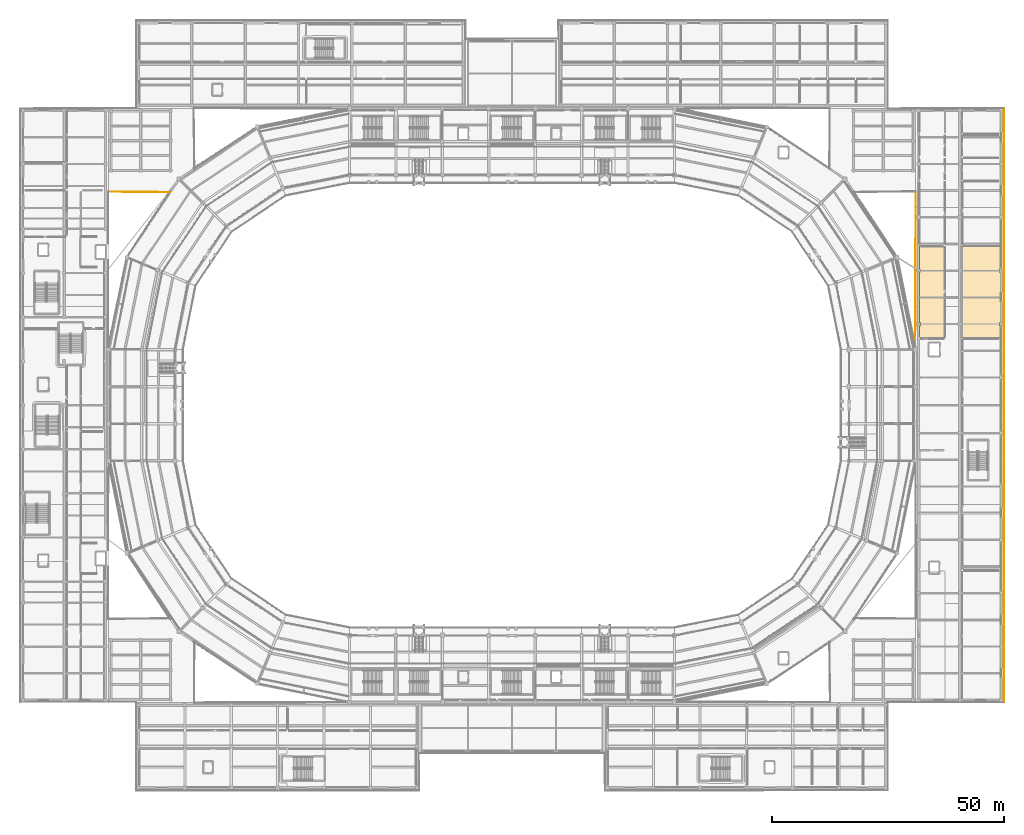
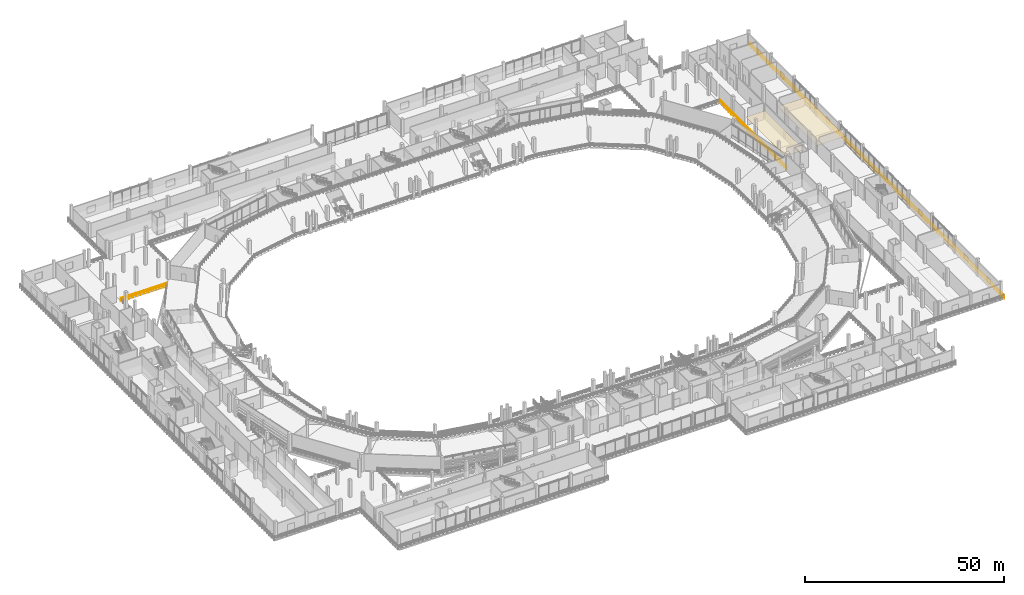
# One storey, part 118 of 127: 3 railings, 2 coverings.
"""IFC4 building model written with IfcOpenShell, lengths in metres."""

from ifc_helpers import new_model, si_unit, direction, frame, origin, origin_2d, place, context, subcontext, project, spatial, polyline, circle, outline, extrude, material, layer, layer_set, type_object, element, save


model = new_model("IFC4")

# Units and contexts
model_context = context("Model", 3, precision=1e-05, world=origin(), true_north=direction((0.0, 1.0)))
body_context = subcontext(model_context, "Body", "Model", "MODEL_VIEW")
ifc_project = project(units=[si_unit("LENGTHUNIT", "METRE"), si_unit("AREAUNIT", "SQUARE_METRE"), si_unit("VOLUMEUNIT", "CUBIC_METRE"), si_unit("PLANEANGLEUNIT", "RADIAN"), si_unit("MASSUNIT", "GRAM", prefix="KILO")], contexts=[model_context])

# Site, building, storey
site_placement = place(None, origin())
site = spatial("IfcSite", under=ifc_project, at=site_placement, CompositionType="ELEMENT")
building_placement = place(site_placement, origin())
building = spatial("IfcBuilding", under=site, at=building_placement, Name="Candeia Ridge Stadium", CompositionType="ELEMENT")
storey_placement = place(building_placement, frame((0.0, 0.0, 10.800048828125)))
storey = spatial("IfcBuildingStorey", under=building, at=storey_placement, Name="L02", CompositionType="ELEMENT", Elevation=10.800048828125)

# Coverings
ifc_material_1 = material(Name="Perforated Acoustic Gypsum", Category="gypsum")
ifc_layer_1 = layer(ifc_material_1, 0.034912109375, Name="Perforated Acoustic Gypsum", Category="gypsum")
ifc_layer_set_1 = layer_set([ifc_layer_1], Name="Perforated Acoustic Gypsum")
covering_type = type_object("IfcCoveringType", Name="Perforated Gypsum Acoustic Ceiling 35", PredefinedType="CEILING", material=ifc_layer_set_1)
covering_1_placement = place(storey_placement, frame((0.0, 0.0, 2.510009765625)))
element("IfcCovering", 1, at=covering_1_placement, inside=storey, type_object=covering_type, Name="Acoustic ceiling Broadcast Replay & VAR Operations Centre West Bay", PredefinedType="CEILING", context=body_context, shape_type="SweptSolid", body=[
    extrude(outline(polyline([(193.794189453125, 97.470703125), (193.791259765625, 97.47119140625), (193.78857421875, 97.472412109375), (193.785888671875, 97.473388671875), (193.783203125, 97.47509765625), (193.781005859375, 97.476806640625), (193.77880859375, 97.478759765625), (193.77685546875, 97.48095703125), (193.775146484375, 97.4833984375), (193.7734375, 97.48583984375), (193.772216796875, 97.488525390625), (193.771240234375, 97.4912109375), (193.7705078125, 97.494140625), (193.77001953125, 97.4970703125), (193.77001953125, 97.5), (193.77001953125, 100.110107421875), (193.989990234375, 100.110107421875), (193.989990234375, 100.889892578125), (193.77001953125, 100.889892578125), (193.77001953125, 111.635009765625), (193.965087890625, 111.635009765625), (193.965087890625, 112.364990234375), (193.77001953125, 112.364990234375), (193.77001953125, 117.300048828125), (193.77001953125, 117.302978515625), (193.7705078125, 117.305908203125), (193.771240234375, 117.30859375), (193.772216796875, 117.3115234375), (193.7734375, 117.314208984375), (193.775146484375, 117.316650390625), (193.77685546875, 117.319091796875), (193.77880859375, 117.3212890625), (193.781005859375, 117.3232421875), (193.783203125, 117.324951171875), (193.785888671875, 117.326416015625), (193.78857421875, 117.32763671875), (193.791259765625, 117.32861328125), (193.794189453125, 117.329345703125), (193.797119140625, 117.329833984375), (193.800048828125, 117.330078125), (199.300048828125, 117.330078125), (199.302978515625, 117.329833984375), (199.305908203125, 117.329345703125), (199.30859375, 117.32861328125), (199.3115234375, 117.32763671875), (199.314208984375, 117.326416015625), (199.316650390625, 117.324951171875), (199.319091796875, 117.3232421875), (199.3212890625, 117.3212890625), (199.3232421875, 117.319091796875), (199.324951171875, 117.316650390625), (199.326416015625, 117.314208984375), (199.32763671875, 117.3115234375), (199.32861328125, 117.30859375), (199.329345703125, 117.305908203125), (199.329833984375, 117.302978515625), (199.330078125, 117.300048828125), (199.330078125, 97.5), (199.329833984375, 97.4970703125), (199.329345703125, 97.494140625), (199.32861328125, 97.4912109375), (199.32763671875, 97.488525390625), (199.326416015625, 97.48583984375), (199.324951171875, 97.4833984375), (199.3232421875, 97.48095703125), (199.3212890625, 97.478759765625), (199.319091796875, 97.476806640625), (199.316650390625, 97.47509765625), (199.314208984375, 97.473388671875), (199.3115234375, 97.472412109375), (199.30859375, 97.47119140625), (199.305908203125, 97.470703125), (199.302978515625, 97.47021484375), (199.300048828125, 97.469970703125), (193.800048828125, 97.469970703125), (193.797119140625, 97.47021484375), (193.794189453125, 97.470703125)])), origin(), (0.0, 0.0, 1.0), 0.0400390625),
])
covering_2_placement = place(storey_placement, frame((0.0, 0.0, 2.510009765625)))
element("IfcCovering", 2, at=covering_2_placement, inside=storey, type_object=covering_type, Name="Acoustic ceiling Broadcast Replay & VAR Operations Centre", PredefinedType="CEILING", context=body_context, shape_type="SweptSolid", body=[
    extrude(outline(polyline([(202.994140625, 97.470703125), (202.9912109375, 97.47119140625), (202.988525390625, 97.472412109375), (202.98583984375, 97.473388671875), (202.9833984375, 97.47509765625), (202.98095703125, 97.476806640625), (202.978759765625, 97.478759765625), (202.976806640625, 97.48095703125), (202.97509765625, 97.4833984375), (202.973388671875, 97.48583984375), (202.972412109375, 97.488525390625), (202.97119140625, 97.4912109375), (202.970703125, 97.494140625), (202.97021484375, 97.4970703125), (202.969970703125, 97.5), (202.969970703125, 117.300048828125), (202.97021484375, 117.302978515625), (202.970703125, 117.305908203125), (202.97119140625, 117.30859375), (202.972412109375, 117.3115234375), (202.973388671875, 117.314208984375), (202.97509765625, 117.316650390625), (202.976806640625, 117.319091796875), (202.978759765625, 117.3212890625), (202.98095703125, 117.3232421875), (202.9833984375, 117.324951171875), (202.98583984375, 117.326416015625), (202.988525390625, 117.32763671875), (202.9912109375, 117.32861328125), (202.994140625, 117.329345703125), (202.9970703125, 117.329833984375), (203.0, 117.330078125), (211.199951171875, 117.330078125), (211.202880859375, 117.329833984375), (211.205810546875, 117.329345703125), (211.208740234375, 117.32861328125), (211.21142578125, 117.32763671875), (211.214111328125, 117.326416015625), (211.216796875, 117.324951171875), (211.218994140625, 117.3232421875), (211.22119140625, 117.3212890625), (211.22314453125, 117.319091796875), (211.224853515625, 117.316650390625), (211.2265625, 117.314208984375), (211.227783203125, 117.3115234375), (211.228759765625, 117.30859375), (211.2294921875, 117.305908203125), (211.22998046875, 117.302978515625), (211.22998046875, 117.300048828125), (211.22998046875, 112.364990234375), (211.034912109375, 112.364990234375), (211.034912109375, 111.635009765625), (211.22998046875, 111.635009765625), (211.22998046875, 100.889892578125), (211.010009765625, 100.889892578125), (211.010009765625, 100.110107421875), (211.22998046875, 100.110107421875), (211.22998046875, 97.5), (211.22998046875, 97.4970703125), (211.2294921875, 97.494140625), (211.228759765625, 97.4912109375), (211.227783203125, 97.488525390625), (211.2265625, 97.48583984375), (211.224853515625, 97.4833984375), (211.22314453125, 97.48095703125), (211.22119140625, 97.478759765625), (211.218994140625, 97.476806640625), (211.216796875, 97.47509765625), (211.214111328125, 97.473388671875), (211.21142578125, 97.472412109375), (211.208740234375, 97.47119140625), (211.205810546875, 97.470703125), (211.202880859375, 97.47021484375), (211.199951171875, 97.469970703125), (203.0, 97.469970703125), (202.9970703125, 97.47021484375), (202.994140625, 97.470703125)])), origin(), (0.0, 0.0, 1.0), 0.0400390625),
])

# Railings
ifc_material_2 = material(Name="Galvanized Powder-Coated Steel", Category="steel")
ifc_layer_2 = layer(ifc_material_2, 0.074951171875, Name="Galvanized Powder-Coated Steel", Category="steel")
ifc_layer_set_2 = layer_set([ifc_layer_2], Name="Galvanized Powder-Coated Steel")
railing_type = type_object("IfcRailingType", Name="Spectator Bowl Front Guardrail 1120", PredefinedType="GUARDRAIL", material=ifc_layer_set_2)
railing_1_placement = place(storey_placement, frame((212.0, 147.0, 0.0)))
element("IfcRailing", 3, at=railing_1_placement, inside=storey, type_object=railing_type, Name="Deck edge safety guardrail GR-DE-L02-0063", PredefinedType="GUARDRAIL", context=body_context, shape_type="SweptSolid", body=[
    extrude(circle(Radius=0.02392578125, at=origin_2d()), frame((0.0, 0.0, 1.09619140625), z_axis=(0.0, -1.0, 0.0), x_axis=(1.0, 0.0, 0.0)), (0.0, 0.0, 1.0), 128.0),
    extrude(circle(Radius=0.02392578125, at=origin_2d()), frame((0.0, 0.0, 0.56005859375), z_axis=(0.0, -1.0, 0.0), x_axis=(1.0, 0.0, 0.0)), (0.0, 0.0, 1.0), 128.0),
    extrude(circle(Radius=0.02099609375, at=origin_2d()), origin(), (0.0, 0.0, 1.0), 1.072021484375),
    extrude(circle(Radius=0.02099609375, at=origin_2d()), frame((0.0, -1.1962890625, 0.0)), (0.0, 0.0, 1.0), 1.072021484375),
    extrude(circle(Radius=0.02099609375, at=origin_2d()), frame((0.0, -2.392578125, 0.0)), (0.0, 0.0, 1.0), 1.072021484375),
    extrude(circle(Radius=0.02099609375, at=origin_2d()), frame((0.0, -3.5888671875, 0.0)), (0.0, 0.0, 1.0), 1.072021484375),
    extrude(circle(Radius=0.02099609375, at=origin_2d()), frame((0.0, -4.78515625, 0.0)), (0.0, 0.0, 1.0), 1.072021484375),
    extrude(circle(Radius=0.02099609375, at=origin_2d()), frame((0.0, -5.981201171875, 0.0)), (0.0, 0.0, 1.0), 1.072021484375),
    extrude(circle(Radius=0.02099609375, at=origin_2d()), frame((0.0, -7.177490234375, 0.0)), (0.0, 0.0, 1.0), 1.072021484375),
    extrude(circle(Radius=0.02099609375, at=origin_2d()), frame((0.0, -8.373779296875, 0.0)), (0.0, 0.0, 1.0), 1.072021484375),
    extrude(circle(Radius=0.02099609375, at=origin_2d()), frame((0.0, -9.570068359375, 0.0)), (0.0, 0.0, 1.0), 1.072021484375),
    extrude(circle(Radius=0.02099609375, at=origin_2d()), frame((0.0, -10.766357421875, 0.0)), (0.0, 0.0, 1.0), 1.072021484375),
    extrude(circle(Radius=0.02099609375, at=origin_2d()), frame((0.0, -11.962646484375, 0.0)), (0.0, 0.0, 1.0), 1.072021484375),
    extrude(circle(Radius=0.02099609375, at=origin_2d()), frame((0.0, -13.158935546875, 0.0)), (0.0, 0.0, 1.0), 1.072021484375),
    extrude(circle(Radius=0.02099609375, at=origin_2d()), frame((0.0, -14.355224609375, 0.0)), (0.0, 0.0, 1.0), 1.072021484375),
    extrude(circle(Radius=0.02099609375, at=origin_2d()), frame((0.0, -15.551513671875, 0.0)), (0.0, 0.0, 1.0), 1.072021484375),
    extrude(circle(Radius=0.02099609375, at=origin_2d()), frame((0.0, -16.74755859375, 0.0)), (0.0, 0.0, 1.0), 1.072021484375),
    extrude(circle(Radius=0.02099609375, at=origin_2d()), frame((0.0, -17.94384765625, 0.0)), (0.0, 0.0, 1.0), 1.072021484375),
    extrude(circle(Radius=0.02099609375, at=origin_2d()), frame((0.0, -19.14013671875, 0.0)), (0.0, 0.0, 1.0), 1.072021484375),
    extrude(circle(Radius=0.02099609375, at=origin_2d()), frame((0.0, -20.33642578125, 0.0)), (0.0, 0.0, 1.0), 1.072021484375),
    extrude(circle(Radius=0.02099609375, at=origin_2d()), frame((0.0, -21.53271484375, 0.0)), (0.0, 0.0, 1.0), 1.072021484375),
    extrude(circle(Radius=0.02099609375, at=origin_2d()), frame((0.0, -22.72900390625, 0.0)), (0.0, 0.0, 1.0), 1.072021484375),
    extrude(circle(Radius=0.02099609375, at=origin_2d()), frame((0.0, -23.92529296875, 0.0)), (0.0, 0.0, 1.0), 1.072021484375),
    extrude(circle(Radius=0.02099609375, at=origin_2d()), frame((0.0, -25.12158203125, 0.0)), (0.0, 0.0, 1.0), 1.072021484375),
    extrude(circle(Radius=0.02099609375, at=origin_2d()), frame((0.0, -26.31787109375, 0.0)), (0.0, 0.0, 1.0), 1.072021484375),
    extrude(circle(Radius=0.02099609375, at=origin_2d()), frame((0.0, -27.513916015625, 0.0)), (0.0, 0.0, 1.0), 1.072021484375),
    extrude(circle(Radius=0.02099609375, at=origin_2d()), frame((0.0, -28.710205078125, 0.0)), (0.0, 0.0, 1.0), 1.072021484375),
    extrude(circle(Radius=0.02099609375, at=origin_2d()), frame((0.0, -29.906494140625, 0.0)), (0.0, 0.0, 1.0), 1.072021484375),
    extrude(circle(Radius=0.02099609375, at=origin_2d()), frame((0.0, -31.102783203125, 0.0)), (0.0, 0.0, 1.0), 1.072021484375),
    extrude(circle(Radius=0.02099609375, at=origin_2d()), frame((0.0, -32.299072265625, 0.0)), (0.0, 0.0, 1.0), 1.072021484375),
    extrude(circle(Radius=0.02099609375, at=origin_2d()), frame((0.0, -33.495361328125, 0.0)), (0.0, 0.0, 1.0), 1.072021484375),
    extrude(circle(Radius=0.02099609375, at=origin_2d()), frame((0.0, -34.691650390625, 0.0)), (0.0, 0.0, 1.0), 1.072021484375),
    extrude(circle(Radius=0.02099609375, at=origin_2d()), frame((0.0, -35.887939453125, 0.0)), (0.0, 0.0, 1.0), 1.072021484375),
    extrude(circle(Radius=0.02099609375, at=origin_2d()), frame((0.0, -37.084228515625, 0.0)), (0.0, 0.0, 1.0), 1.072021484375),
    extrude(circle(Radius=0.02099609375, at=origin_2d()), frame((0.0, -38.2802734375, 0.0)), (0.0, 0.0, 1.0), 1.072021484375),
    extrude(circle(Radius=0.02099609375, at=origin_2d()), frame((0.0, -39.4765625, 0.0)), (0.0, 0.0, 1.0), 1.072021484375),
    extrude(circle(Radius=0.02099609375, at=origin_2d()), frame((0.0, -40.6728515625, 0.0)), (0.0, 0.0, 1.0), 1.072021484375),
    extrude(circle(Radius=0.02099609375, at=origin_2d()), frame((0.0, -41.869140625, 0.0)), (0.0, 0.0, 1.0), 1.072021484375),
    extrude(circle(Radius=0.02099609375, at=origin_2d()), frame((0.0, -43.0654296875, 0.0)), (0.0, 0.0, 1.0), 1.072021484375),
    extrude(circle(Radius=0.02099609375, at=origin_2d()), frame((0.0, -44.26171875, 0.0)), (0.0, 0.0, 1.0), 1.072021484375),
    extrude(circle(Radius=0.02099609375, at=origin_2d()), frame((0.0, -45.4580078125, 0.0)), (0.0, 0.0, 1.0), 1.072021484375),
    extrude(circle(Radius=0.02099609375, at=origin_2d()), frame((0.0, -46.654296875, 0.0)), (0.0, 0.0, 1.0), 1.072021484375),
    extrude(circle(Radius=0.02099609375, at=origin_2d()), frame((0.0, -47.8505859375, 0.0)), (0.0, 0.0, 1.0), 1.072021484375),
    extrude(circle(Radius=0.02099609375, at=origin_2d()), frame((0.0, -49.046630859375, 0.0)), (0.0, 0.0, 1.0), 1.072021484375),
    extrude(circle(Radius=0.02099609375, at=origin_2d()), frame((0.0, -50.242919921875, 0.0)), (0.0, 0.0, 1.0), 1.072021484375),
    extrude(circle(Radius=0.02099609375, at=origin_2d()), frame((0.0, -51.439208984375, 0.0)), (0.0, 0.0, 1.0), 1.072021484375),
    extrude(circle(Radius=0.02099609375, at=origin_2d()), frame((0.0, -52.635498046875, 0.0)), (0.0, 0.0, 1.0), 1.072021484375),
    extrude(circle(Radius=0.02099609375, at=origin_2d()), frame((0.0, -53.831787109375, 0.0)), (0.0, 0.0, 1.0), 1.072021484375),
    extrude(circle(Radius=0.02099609375, at=origin_2d()), frame((0.0, -55.028076171875, 0.0)), (0.0, 0.0, 1.0), 1.072021484375),
    extrude(circle(Radius=0.02099609375, at=origin_2d()), frame((0.0, -56.224365234375, 0.0)), (0.0, 0.0, 1.0), 1.072021484375),
    extrude(circle(Radius=0.02099609375, at=origin_2d()), frame((0.0, -57.420654296875, 0.0)), (0.0, 0.0, 1.0), 1.072021484375),
    extrude(circle(Radius=0.02099609375, at=origin_2d()), frame((0.0, -58.616943359375, 0.0)), (0.0, 0.0, 1.0), 1.072021484375),
    extrude(circle(Radius=0.02099609375, at=origin_2d()), frame((0.0, -59.81298828125, 0.0)), (0.0, 0.0, 1.0), 1.072021484375),
    extrude(circle(Radius=0.02099609375, at=origin_2d()), frame((0.0, -61.00927734375, 0.0)), (0.0, 0.0, 1.0), 1.072021484375),
    extrude(circle(Radius=0.02099609375, at=origin_2d()), frame((0.0, -62.20556640625, 0.0)), (0.0, 0.0, 1.0), 1.072021484375),
    extrude(circle(Radius=0.02099609375, at=origin_2d()), frame((0.0, -63.40185546875, 0.0)), (0.0, 0.0, 1.0), 1.072021484375),
    extrude(circle(Radius=0.02099609375, at=origin_2d()), frame((0.0, -64.59814453125, 0.0)), (0.0, 0.0, 1.0), 1.072021484375),
    extrude(circle(Radius=0.02099609375, at=origin_2d()), frame((0.0, -65.79443359375, 0.0)), (0.0, 0.0, 1.0), 1.072021484375),
    extrude(circle(Radius=0.02099609375, at=origin_2d()), frame((0.0, -66.99072265625, 0.0)), (0.0, 0.0, 1.0), 1.072021484375),
    extrude(circle(Radius=0.02099609375, at=origin_2d()), frame((0.0, -68.18701171875, 0.0)), (0.0, 0.0, 1.0), 1.072021484375),
    extrude(circle(Radius=0.02099609375, at=origin_2d()), frame((0.0, -69.383056640625, 0.0)), (0.0, 0.0, 1.0), 1.072021484375),
    extrude(circle(Radius=0.02099609375, at=origin_2d()), frame((0.0, -70.579345703125, 0.0)), (0.0, 0.0, 1.0), 1.072021484375),
    extrude(circle(Radius=0.02099609375, at=origin_2d()), frame((0.0, -71.775634765625, 0.0)), (0.0, 0.0, 1.0), 1.072021484375),
    extrude(circle(Radius=0.02099609375, at=origin_2d()), frame((0.0, -72.971923828125, 0.0)), (0.0, 0.0, 1.0), 1.072021484375),
    extrude(circle(Radius=0.02099609375, at=origin_2d()), frame((0.0, -74.168212890625, 0.0)), (0.0, 0.0, 1.0), 1.072021484375),
    extrude(circle(Radius=0.02099609375, at=origin_2d()), frame((0.0, -75.364501953125, 0.0)), (0.0, 0.0, 1.0), 1.072021484375),
    extrude(circle(Radius=0.02099609375, at=origin_2d()), frame((0.0, -76.560791015625, 0.0)), (0.0, 0.0, 1.0), 1.072021484375),
    extrude(circle(Radius=0.02099609375, at=origin_2d()), frame((0.0, -77.757080078125, 0.0)), (0.0, 0.0, 1.0), 1.072021484375),
    extrude(circle(Radius=0.02099609375, at=origin_2d()), frame((0.0, -78.953369140625, 0.0)), (0.0, 0.0, 1.0), 1.072021484375),
    extrude(circle(Radius=0.02099609375, at=origin_2d()), frame((0.0, -80.1494140625, 0.0)), (0.0, 0.0, 1.0), 1.072021484375),
    extrude(circle(Radius=0.02099609375, at=origin_2d()), frame((0.0, -81.345703125, 0.0)), (0.0, 0.0, 1.0), 1.072021484375),
    extrude(circle(Radius=0.02099609375, at=origin_2d()), frame((0.0, -82.5419921875, 0.0)), (0.0, 0.0, 1.0), 1.072021484375),
    extrude(circle(Radius=0.02099609375, at=origin_2d()), frame((0.0, -83.73828125, 0.0)), (0.0, 0.0, 1.0), 1.072021484375),
    extrude(circle(Radius=0.02099609375, at=origin_2d()), frame((0.0, -84.9345703125, 0.0)), (0.0, 0.0, 1.0), 1.072021484375),
    extrude(circle(Radius=0.02099609375, at=origin_2d()), frame((0.0, -86.130859375, 0.0)), (0.0, 0.0, 1.0), 1.072021484375),
    extrude(circle(Radius=0.02099609375, at=origin_2d()), frame((0.0, -87.3271484375, 0.0)), (0.0, 0.0, 1.0), 1.072021484375),
    extrude(circle(Radius=0.02099609375, at=origin_2d()), frame((0.0, -88.5234375, 0.0)), (0.0, 0.0, 1.0), 1.072021484375),
    extrude(circle(Radius=0.02099609375, at=origin_2d()), frame((0.0, -89.7197265625, 0.0)), (0.0, 0.0, 1.0), 1.072021484375),
    extrude(circle(Radius=0.02099609375, at=origin_2d()), frame((0.0, -90.915771484375, 0.0)), (0.0, 0.0, 1.0), 1.072021484375),
    extrude(circle(Radius=0.02099609375, at=origin_2d()), frame((0.0, -92.112060546875, 0.0)), (0.0, 0.0, 1.0), 1.072021484375),
    extrude(circle(Radius=0.02099609375, at=origin_2d()), frame((0.0, -93.308349609375, 0.0)), (0.0, 0.0, 1.0), 1.072021484375),
    extrude(circle(Radius=0.02099609375, at=origin_2d()), frame((0.0, -94.504638671875, 0.0)), (0.0, 0.0, 1.0), 1.072021484375),
    extrude(circle(Radius=0.02099609375, at=origin_2d()), frame((0.0, -95.700927734375, 0.0)), (0.0, 0.0, 1.0), 1.072021484375),
    extrude(circle(Radius=0.02099609375, at=origin_2d()), frame((0.0, -96.897216796875, 0.0)), (0.0, 0.0, 1.0), 1.072021484375),
    extrude(circle(Radius=0.02099609375, at=origin_2d()), frame((0.0, -98.093505859375, 0.0)), (0.0, 0.0, 1.0), 1.072021484375),
    extrude(circle(Radius=0.02099609375, at=origin_2d()), frame((0.0, -99.289794921875, 0.0)), (0.0, 0.0, 1.0), 1.072021484375),
    extrude(circle(Radius=0.02099609375, at=origin_2d()), frame((0.0, -100.486083984375, 0.0)), (0.0, 0.0, 1.0), 1.072021484375),
    extrude(circle(Radius=0.02099609375, at=origin_2d()), frame((0.0, -101.68212890625, 0.0)), (0.0, 0.0, 1.0), 1.072021484375),
    extrude(circle(Radius=0.02099609375, at=origin_2d()), frame((0.0, -102.87841796875, 0.0)), (0.0, 0.0, 1.0), 1.072021484375),
    extrude(circle(Radius=0.02099609375, at=origin_2d()), frame((0.0, -104.07470703125, 0.0)), (0.0, 0.0, 1.0), 1.072021484375),
    extrude(circle(Radius=0.02099609375, at=origin_2d()), frame((0.0, -105.27099609375, 0.0)), (0.0, 0.0, 1.0), 1.072021484375),
    extrude(circle(Radius=0.02099609375, at=origin_2d()), frame((0.0, -106.46728515625, 0.0)), (0.0, 0.0, 1.0), 1.072021484375),
    extrude(circle(Radius=0.02099609375, at=origin_2d()), frame((0.0, -107.66357421875, 0.0)), (0.0, 0.0, 1.0), 1.072021484375),
    extrude(circle(Radius=0.02099609375, at=origin_2d()), frame((0.0, -108.85986328125, 0.0)), (0.0, 0.0, 1.0), 1.072021484375),
    extrude(circle(Radius=0.02099609375, at=origin_2d()), frame((0.0, -110.05615234375, 0.0)), (0.0, 0.0, 1.0), 1.072021484375),
    extrude(circle(Radius=0.02099609375, at=origin_2d()), frame((0.0, -111.25244140625, 0.0)), (0.0, 0.0, 1.0), 1.072021484375),
    extrude(circle(Radius=0.02099609375, at=origin_2d()), frame((0.0, -112.448486328125, 0.0)), (0.0, 0.0, 1.0), 1.072021484375),
    extrude(circle(Radius=0.02099609375, at=origin_2d()), frame((0.0, -113.644775390625, 0.0)), (0.0, 0.0, 1.0), 1.072021484375),
    extrude(circle(Radius=0.02099609375, at=origin_2d()), frame((0.0, -114.841064453125, 0.0)), (0.0, 0.0, 1.0), 1.072021484375),
    extrude(circle(Radius=0.02099609375, at=origin_2d()), frame((0.0, -116.037353515625, 0.0)), (0.0, 0.0, 1.0), 1.072021484375),
    extrude(circle(Radius=0.02099609375, at=origin_2d()), frame((0.0, -117.233642578125, 0.0)), (0.0, 0.0, 1.0), 1.072021484375),
    extrude(circle(Radius=0.02099609375, at=origin_2d()), frame((0.0, -118.429931640625, 0.0)), (0.0, 0.0, 1.0), 1.072021484375),
    extrude(circle(Radius=0.02099609375, at=origin_2d()), frame((0.0, -119.626220703125, 0.0)), (0.0, 0.0, 1.0), 1.072021484375),
    extrude(circle(Radius=0.02099609375, at=origin_2d()), frame((0.0, -120.822509765625, 0.0)), (0.0, 0.0, 1.0), 1.072021484375),
    extrude(circle(Radius=0.02099609375, at=origin_2d()), frame((0.0, -122.018798828125, 0.0)), (0.0, 0.0, 1.0), 1.072021484375),
    extrude(circle(Radius=0.02099609375, at=origin_2d()), frame((0.0, -123.21484375, 0.0)), (0.0, 0.0, 1.0), 1.072021484375),
    extrude(circle(Radius=0.02099609375, at=origin_2d()), frame((0.0, -124.4111328125, 0.0)), (0.0, 0.0, 1.0), 1.072021484375),
    extrude(circle(Radius=0.02099609375, at=origin_2d()), frame((0.0, -125.607421875, 0.0)), (0.0, 0.0, 1.0), 1.072021484375),
    extrude(circle(Radius=0.02099609375, at=origin_2d()), frame((0.0, -126.8037109375, 0.0)), (0.0, 0.0, 1.0), 1.072021484375),
    extrude(circle(Radius=0.02099609375, at=origin_2d()), frame((0.0, -128.0, 0.0)), (0.0, 0.0, 1.0), 1.072021484375),
])
railing_2_placement = place(storey_placement, frame((192.919921875, 95.313720703125, 0.0)))
element("IfcRailing", 4, at=railing_2_placement, inside=storey, type_object=railing_type, Name="Deck edge safety guardrail GR-DE-L02-0075", PredefinedType="GUARDRAIL", context=body_context, shape_type="SweptSolid", body=[
    extrude(circle(Radius=0.02392578125, at=origin_2d()), frame((0.0, 0.0, 1.09619140625), z_axis=(0.002371529117, 0.999997187921, 0.0), x_axis=(-0.999997187921, 0.002371529117, 0.0)), (0.0, 0.0, 1.0), 33.766357421875),
    extrude(circle(Radius=0.02392578125, at=origin_2d()), frame((0.0, 0.0, 0.56005859375), z_axis=(0.002371529117, 0.999997187921, 0.0), x_axis=(-0.999997187921, 0.002371529117, 0.0)), (0.0, 0.0, 1.0), 33.766357421875),
    extrude(circle(Radius=0.02099609375, at=origin_2d()), origin(), (0.0, 0.0, 1.0), 1.072021484375),
    extrude(circle(Radius=0.02099609375, at=origin_2d()), frame((0.002685546875, 1.164306640625, 0.0)), (0.0, 0.0, 1.0), 1.072021484375),
    extrude(circle(Radius=0.02099609375, at=origin_2d()), frame((0.005615234375, 2.32861328125, 0.0)), (0.0, 0.0, 1.0), 1.072021484375),
    extrude(circle(Radius=0.02099609375, at=origin_2d()), frame((0.00830078125, 3.4931640625, 0.0)), (0.0, 0.0, 1.0), 1.072021484375),
    extrude(circle(Radius=0.02099609375, at=origin_2d()), frame((0.010986328125, 4.657470703125, 0.0)), (0.0, 0.0, 1.0), 1.072021484375),
    extrude(circle(Radius=0.02099609375, at=origin_2d()), frame((0.013916015625, 5.82177734375, 0.0)), (0.0, 0.0, 1.0), 1.072021484375),
    extrude(circle(Radius=0.02099609375, at=origin_2d()), frame((0.0166015625, 6.986083984375, 0.0)), (0.0, 0.0, 1.0), 1.072021484375),
    extrude(circle(Radius=0.02099609375, at=origin_2d()), frame((0.019287109375, 8.150390625, 0.0)), (0.0, 0.0, 1.0), 1.072021484375),
    extrude(circle(Radius=0.02099609375, at=origin_2d()), frame((0.02197265625, 9.31494140625, 0.0)), (0.0, 0.0, 1.0), 1.072021484375),
    extrude(circle(Radius=0.02099609375, at=origin_2d()), frame((0.02490234375, 10.479248046875, 0.0)), (0.0, 0.0, 1.0), 1.072021484375),
    extrude(circle(Radius=0.02099609375, at=origin_2d()), frame((0.027587890625, 11.6435546875, 0.0)), (0.0, 0.0, 1.0), 1.072021484375),
    extrude(circle(Radius=0.02099609375, at=origin_2d()), frame((0.0302734375, 12.807861328125, 0.0)), (0.0, 0.0, 1.0), 1.072021484375),
    extrude(circle(Radius=0.02099609375, at=origin_2d()), frame((0.033203125, 13.97216796875, 0.0)), (0.0, 0.0, 1.0), 1.072021484375),
    extrude(circle(Radius=0.02099609375, at=origin_2d()), frame((0.035888671875, 15.13671875, 0.0)), (0.0, 0.0, 1.0), 1.072021484375),
    extrude(circle(Radius=0.02099609375, at=origin_2d()), frame((0.03857421875, 16.301025390625, 0.0)), (0.0, 0.0, 1.0), 1.072021484375),
    extrude(circle(Radius=0.02099609375, at=origin_2d()), frame((0.04150390625, 17.46533203125, 0.0)), (0.0, 0.0, 1.0), 1.072021484375),
    extrude(circle(Radius=0.02099609375, at=origin_2d()), frame((0.044189453125, 18.629638671875, 0.0)), (0.0, 0.0, 1.0), 1.072021484375),
    extrude(circle(Radius=0.02099609375, at=origin_2d()), frame((0.046875, 19.794189453125, 0.0)), (0.0, 0.0, 1.0), 1.072021484375),
    extrude(circle(Radius=0.02099609375, at=origin_2d()), frame((0.0498046875, 20.95849609375, 0.0)), (0.0, 0.0, 1.0), 1.072021484375),
    extrude(circle(Radius=0.02099609375, at=origin_2d()), frame((0.052490234375, 22.122802734375, 0.0)), (0.0, 0.0, 1.0), 1.072021484375),
    extrude(circle(Radius=0.02099609375, at=origin_2d()), frame((0.05517578125, 23.287109375, 0.0)), (0.0, 0.0, 1.0), 1.072021484375),
    extrude(circle(Radius=0.02099609375, at=origin_2d()), frame((0.05810546875, 24.451416015625, 0.0)), (0.0, 0.0, 1.0), 1.072021484375),
    extrude(circle(Radius=0.02099609375, at=origin_2d()), frame((0.060791015625, 25.615966796875, 0.0)), (0.0, 0.0, 1.0), 1.072021484375),
    extrude(circle(Radius=0.02099609375, at=origin_2d()), frame((0.0634765625, 26.7802734375, 0.0)), (0.0, 0.0, 1.0), 1.072021484375),
    extrude(circle(Radius=0.02099609375, at=origin_2d()), frame((0.066162109375, 27.944580078125, 0.0)), (0.0, 0.0, 1.0), 1.072021484375),
    extrude(circle(Radius=0.02099609375, at=origin_2d()), frame((0.069091796875, 29.10888671875, 0.0)), (0.0, 0.0, 1.0), 1.072021484375),
    extrude(circle(Radius=0.02099609375, at=origin_2d()), frame((0.07177734375, 30.273193359375, 0.0)), (0.0, 0.0, 1.0), 1.072021484375),
    extrude(circle(Radius=0.02099609375, at=origin_2d()), frame((0.074462890625, 31.437744140625, 0.0)), (0.0, 0.0, 1.0), 1.072021484375),
    extrude(circle(Radius=0.02099609375, at=origin_2d()), frame((0.077392578125, 32.60205078125, 0.0)), (0.0, 0.0, 1.0), 1.072021484375),
    extrude(circle(Radius=0.02099609375, at=origin_2d()), frame((0.080078125, 33.766357421875, 0.0)), (0.0, 0.0, 1.0), 1.072021484375),
])
railing_3_placement = place(storey_placement, frame((32.3798828125, 128.919921875, 0.0)))
element("IfcRailing", 5, at=railing_3_placement, inside=storey, type_object=railing_type, Name="Deck edge safety guardrail GR-DE-L02-0135", PredefinedType="GUARDRAIL", context=body_context, shape_type="SweptSolid", body=[
    extrude(circle(Radius=0.02392578125, at=origin_2d()), frame((0.0, 0.0, 1.09619140625), z_axis=(-0.99998230304, 0.005949252619, 0.0), x_axis=(-0.005949252619, -0.99998230304, 0.0)), (0.0, 0.0, 1.0), 13.460205078125),
    extrude(circle(Radius=0.02392578125, at=origin_2d()), frame((0.0, 0.0, 0.56005859375), z_axis=(-0.99998230304, 0.005949252619, 0.0), x_axis=(-0.005949252619, -0.99998230304, 0.0)), (0.0, 0.0, 1.0), 13.460205078125),
    extrude(circle(Radius=0.02099609375, at=origin_2d()), origin(), (0.0, 0.0, 1.0), 1.072021484375),
    extrude(circle(Radius=0.02099609375, at=origin_2d()), frame((-1.12158203125, 0.006591796875, 0.0)), (0.0, 0.0, 1.0), 1.072021484375),
    extrude(circle(Radius=0.02099609375, at=origin_2d()), frame((-2.243408203125, 0.013427734375, 0.0)), (0.0, 0.0, 1.0), 1.072021484375),
    extrude(circle(Radius=0.02099609375, at=origin_2d()), frame((-3.364990234375, 0.02001953125, 0.0)), (0.0, 0.0, 1.0), 1.072021484375),
    extrude(circle(Radius=0.02099609375, at=origin_2d()), frame((-4.486572265625, 0.026611328125, 0.0)), (0.0, 0.0, 1.0), 1.072021484375),
    extrude(circle(Radius=0.02099609375, at=origin_2d()), frame((-5.6083984375, 0.033447265625, 0.0)), (0.0, 0.0, 1.0), 1.072021484375),
    extrude(circle(Radius=0.02099609375, at=origin_2d()), frame((-6.72998046875, 0.0400390625, 0.0)), (0.0, 0.0, 1.0), 1.072021484375),
    extrude(circle(Radius=0.02099609375, at=origin_2d()), frame((-7.8515625, 0.046630859375, 0.0)), (0.0, 0.0, 1.0), 1.072021484375),
    extrude(circle(Radius=0.02099609375, at=origin_2d()), frame((-8.973388671875, 0.053466796875, 0.0)), (0.0, 0.0, 1.0), 1.072021484375),
    extrude(circle(Radius=0.02099609375, at=origin_2d()), frame((-10.094970703125, 0.06005859375, 0.0)), (0.0, 0.0, 1.0), 1.072021484375),
    extrude(circle(Radius=0.02099609375, at=origin_2d()), frame((-11.216552734375, 0.066650390625, 0.0)), (0.0, 0.0, 1.0), 1.072021484375),
    extrude(circle(Radius=0.02099609375, at=origin_2d()), frame((-12.33837890625, 0.073486328125, 0.0)), (0.0, 0.0, 1.0), 1.072021484375),
    extrude(circle(Radius=0.02099609375, at=origin_2d()), frame((-13.4599609375, 0.080078125, 0.0)), (0.0, 0.0, 1.0), 1.072021484375),
])

save(model, "model.ifc")
